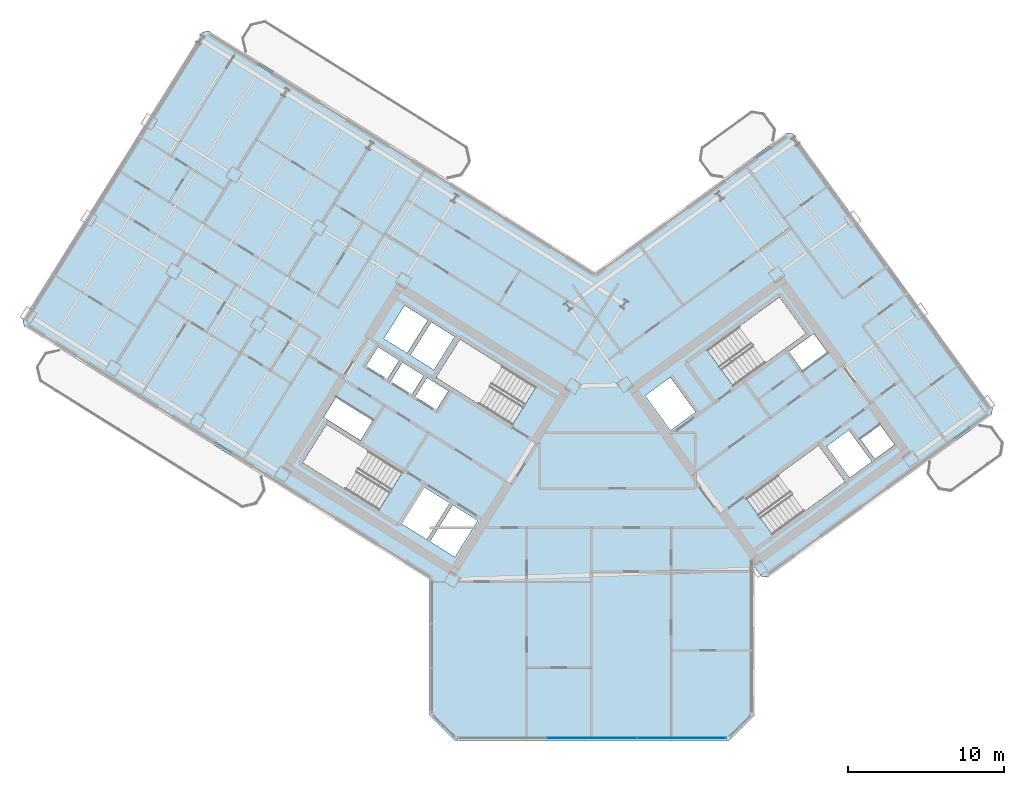
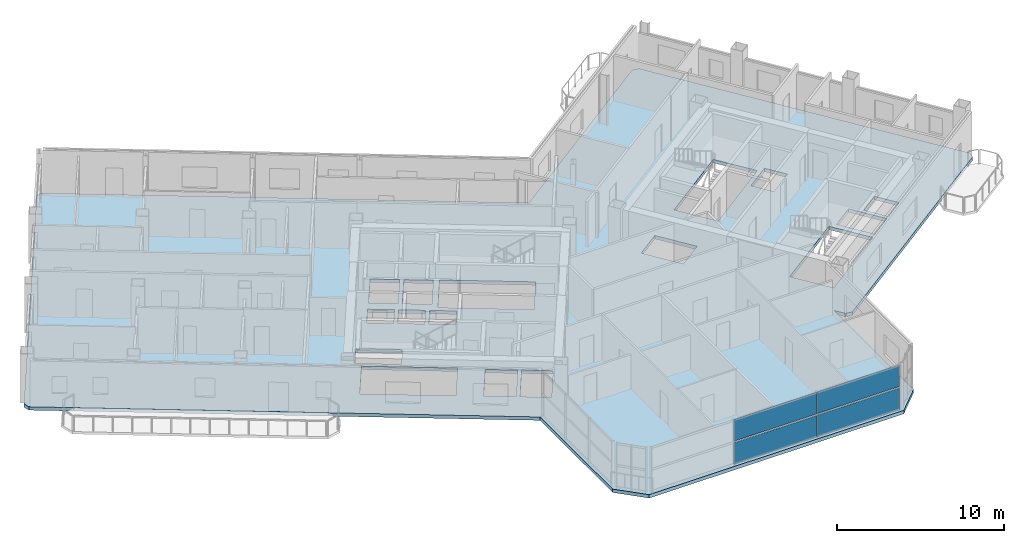
# One storey, part 9 of 21: 4 plates, 1 slab, 1 element without a shape of its own.
"""IFC4 building model written with IfcOpenShell, lengths in metres."""

from ifc_helpers import new_model, si_unit, direction, frame, origin, origin_2d, place, context, subcontext, project, spatial, polyline, rectangle, outline, extrude, source, transform, mapped, material, layer, layer_set, type_object, element, aggregate, save


model = new_model("IFC4")

# Units and contexts
model_context = context("Model", 3, precision=1e-05, world=origin(), true_north=direction((0.0, 1.0)))
body_context = subcontext(model_context, "Body", "Model", "MODEL_VIEW")
ifc_project = project(units=[si_unit("LENGTHUNIT", "METRE"), si_unit("AREAUNIT", "SQUARE_METRE"), si_unit("VOLUMEUNIT", "CUBIC_METRE"), si_unit("PLANEANGLEUNIT", "RADIAN"), si_unit("MASSUNIT", "GRAM", prefix="KILO")], contexts=[model_context])

# Site, building, storey
site_placement = place(None, origin())
site = spatial("IfcSite", under=ifc_project, at=site_placement, CompositionType="ELEMENT")
building_placement = place(site_placement, origin())
building = spatial("IfcBuilding", under=site, at=building_placement, Name="Tlacorven Tower", CompositionType="ELEMENT")
storey_placement = place(building_placement, frame((0.0, 0.0, 184.199951171875)))
storey = spatial("IfcBuildingStorey", under=building, at=storey_placement, Name="L46", CompositionType="ELEMENT", Elevation=184.199951171875)

# Slab
ifc_material_1 = material(Name="Concrete C40/50", Category="concrete")
ifc_layer_1 = layer(ifc_material_1, 0.25)
ifc_layer_set_1 = layer_set([ifc_layer_1], Name="Concrete C40/50")
slab_type = type_object("IfcSlabType", Name="SL-TWR-250", PredefinedType="FLOOR", material=ifc_layer_set_1)
slab_placement = place(storey_placement, frame((0.0, 0.0, -0.25)))
element("IfcSlab", 1, at=slab_placement, inside=storey, type_object=slab_type, Name="L46 Boomerang Tower Floor Slab", PredefinedType="FLOOR", context=body_context, shape_type="SweptSolid", body=[
    extrude(outline(polyline([(52.39990234375, 3.39990234375), (50.800048828125, 1.800048828125), (33.199951171875, 1.800048828125), (31.60009765625, 3.39990234375), (31.60009765625, 12.09423828125), (5.62451171875, 28.32568359375), (5.529052734375, 28.739013671875), (17.0390625, 47.15869140625), (17.452392578125, 47.254150390625), (42.19970703125, 31.790283203125), (54.481689453125, 40.713623046875), (54.90087890625, 40.647216796875), (67.66748046875, 23.075439453125), (67.60107421875, 22.656494140625), (53.265380859375, 12.24072265625), (52.846435546875, 12.30712890625), (52.39990234375, 12.921630859375), (52.39990234375, 3.39990234375)]), holes=[polyline([(29.865478515625, 18.979736328125), (24.9892578125, 22.02685546875), (23.463134765625, 19.58447265625), (28.33935546875, 16.537353515625), (29.865478515625, 18.979736328125)]), polyline([(38.4169921875, 24.4375), (33.540771484375, 27.484375), (32.0146484375, 25.0419921875), (36.890869140625, 21.9951171875), (38.4169921875, 24.4375)]), polyline([(51.05908203125, 24.481689453125), (55.7109375, 27.861572265625), (54.01806640625, 30.19140625), (49.3662109375, 26.811767578125), (51.05908203125, 24.481689453125)]), polyline([(53.56298828125, 14.978759765625), (58.21484375, 18.3583984375), (56.52197265625, 20.6884765625), (51.8701171875, 17.30859375), (53.56298828125, 14.978759765625)]), polyline([(34.682373046875, 15.87548828125), (33.088134765625, 16.871826171875), (31.62548828125, 14.531005859375), (33.2197265625, 13.534912109375), (34.682373046875, 15.87548828125)]), polyline([(32.884521484375, 16.9990234375), (31.2392578125, 18.02685546875), (29.77685546875, 15.686279296875), (31.421875, 14.658203125), (32.884521484375, 16.9990234375)]), polyline([(47.0234375, 21.648681640625), (48.6416015625, 22.82421875), (47.019287109375, 25.05712890625), (45.401123046875, 23.881591796875), (47.0234375, 21.648681640625)]), polyline([(33.197265625, 27.65185546875), (31.704833984375, 28.58447265625), (30.3798828125, 26.46435546875), (31.87255859375, 25.53173828125), (33.197265625, 27.65185546875)]), polyline([(31.484375, 28.722412109375), (29.99169921875, 29.655029296875), (28.6669921875, 27.534912109375), (30.159423828125, 26.602294921875), (31.484375, 28.722412109375)]), polyline([(32.794921875, 24.17724609375), (31.43798828125, 25.025146484375), (30.685546875, 23.82080078125), (32.042236328125, 22.972900390625), (32.794921875, 24.17724609375)]), polyline([(31.217529296875, 25.162841796875), (29.860595703125, 26.0107421875), (29.108154296875, 24.806396484375), (30.465087890625, 23.958740234375), (31.217529296875, 25.162841796875)]), polyline([(29.64013671875, 26.1484375), (28.283203125, 26.996337890625), (27.53076171875, 25.792236328125), (28.8876953125, 24.9443359375), (29.64013671875, 26.1484375)]), polyline([(58.498779296875, 18.614013671875), (59.922607421875, 19.648681640625), (58.453125, 21.671142578125), (57.029296875, 20.63671875), (58.498779296875, 18.614013671875)]), polyline([(27.96142578125, 22.2919921875), (25.603759765625, 23.76513671875), (24.80908203125, 22.4931640625), (27.16650390625, 21.02001953125), (27.96142578125, 22.2919921875)]), polyline([(55.490478515625, 25.4765625), (57.092529296875, 26.640380859375), (56.210693359375, 27.85400390625), (54.60888671875, 26.690185546875), (55.490478515625, 25.4765625)]), polyline([(60.12109375, 19.817626953125), (61.38330078125, 20.734619140625), (60.45458984375, 22.012939453125), (59.192626953125, 21.095947265625), (60.12109375, 19.817626953125)])]), origin(), (0.0, 0.0, 1.0), 0.25),
])

# Curtain wall, plates
ifc_material_2 = material(Name="Dark solar low-E double glazing in aluminium frame", Category="aluminium")
curtain_wall_type = type_object("IfcCurtainWallType", Name="CW-TWR-MID", PredefinedType="USERDEFINED", material=ifc_material_2)
curtain_wall_placement = place(storey_placement, origin())
curtain_wall = element("IfcCurtainWall", 2, at=curtain_wall_placement, inside=storey, type_object=curtain_wall_type, Name="L46 CW-TWR-MID Curtain Wall 213", ObjectType="UNITISED CURTAIN WALL", PredefinedType="USERDEFINED")
ifc_material_3 = material(Name="High-wind dark solar tempered low-E glazing", Category="glass")
ifc_layer_2 = layer(ifc_material_3, 0.028076171875)
ifc_layer_set_2 = layer_set([ifc_layer_2], Name="High-wind dark solar tempered low-E glazing")
plate_type = type_object("IfcPlateType", Name="CWP-03", PredefinedType="CURTAIN_PANEL", material=ifc_layer_set_2)
shared_shape_1 = source(origin(), body_context, "Body", "SweptSolid", [
    extrude(rectangle(XDim=5.67626953125, YDim=0.028076171875, at=origin_2d()), origin(), (0.0, 0.0, 1.0), 1.552978515625),
])
plate_1_placement = place(storey_placement, frame((47.739501953125, 1.9599609375, 0.06103515625), z_axis=(0.0, 0.0, 1.0), x_axis=(-1.0, 0.0, 0.0)))
plate_1 = element("IfcPlate", 3, at=plate_1_placement, type_object=plate_type, Name="CW-L46-213 Glazing Panel 1", PredefinedType="CURTAIN_PANEL", context=body_context, shape_type="MappedRepresentation", body=[
    mapped(shared_shape_1, transform((0.0, 0.0, 0.0), scale=1.0)),
])
plate_2_placement = place(storey_placement, frame((47.739501953125, 1.9599609375, 1.73583984375), z_axis=(0.0, 0.0, 1.0), x_axis=(-1.0, 0.0, 0.0)))
plate_2 = element("IfcPlate", 4, at=plate_2_placement, type_object=plate_type, Name="CW-L46-213 Glazing Panel 2", PredefinedType="CURTAIN_PANEL", context=body_context, shape_type="MappedRepresentation", body=[
    mapped(shared_shape_1, transform((0.0, 0.0, 0.0), scale=1.0)),
])
shared_shape_2 = source(origin(), body_context, "Body", "SweptSolid", [
    extrude(rectangle(XDim=5.708740234375, YDim=0.028076171875, at=origin_2d()), origin(), (0.0, 0.0, 1.0), 1.552978515625),
])
plate_3_placement = place(storey_placement, frame((42.0, 1.9599609375, 0.06103515625), z_axis=(0.0, 0.0, 1.0), x_axis=(-1.0, 0.0, 0.0)))
plate_3 = element("IfcPlate", 5, at=plate_3_placement, type_object=plate_type, Name="CW-L46-213 Glazing Panel 3", PredefinedType="CURTAIN_PANEL", context=body_context, shape_type="MappedRepresentation", body=[
    mapped(shared_shape_2, transform((0.0, 0.0, 0.0), scale=1.0)),
])
plate_4_placement = place(storey_placement, frame((42.0, 1.9599609375, 1.73583984375), z_axis=(0.0, 0.0, 1.0), x_axis=(-1.0, 0.0, 0.0)))
plate_4 = element("IfcPlate", 6, at=plate_4_placement, type_object=plate_type, Name="CW-L46-213 Glazing Panel 4", PredefinedType="CURTAIN_PANEL", context=body_context, shape_type="MappedRepresentation", body=[
    mapped(shared_shape_2, transform((0.0, 0.0, 0.0), scale=1.0)),
])
aggregate(curtain_wall, [plate_1, plate_2, plate_3, plate_4])

save(model, "model.ifc")
